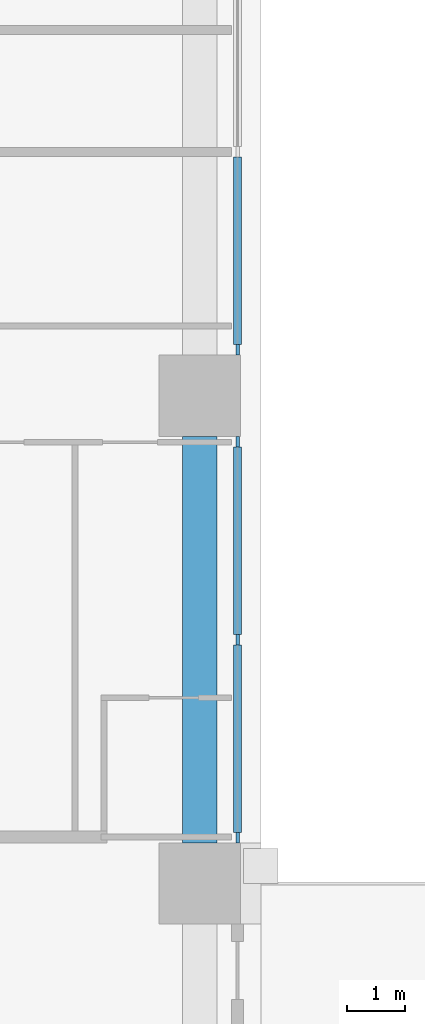
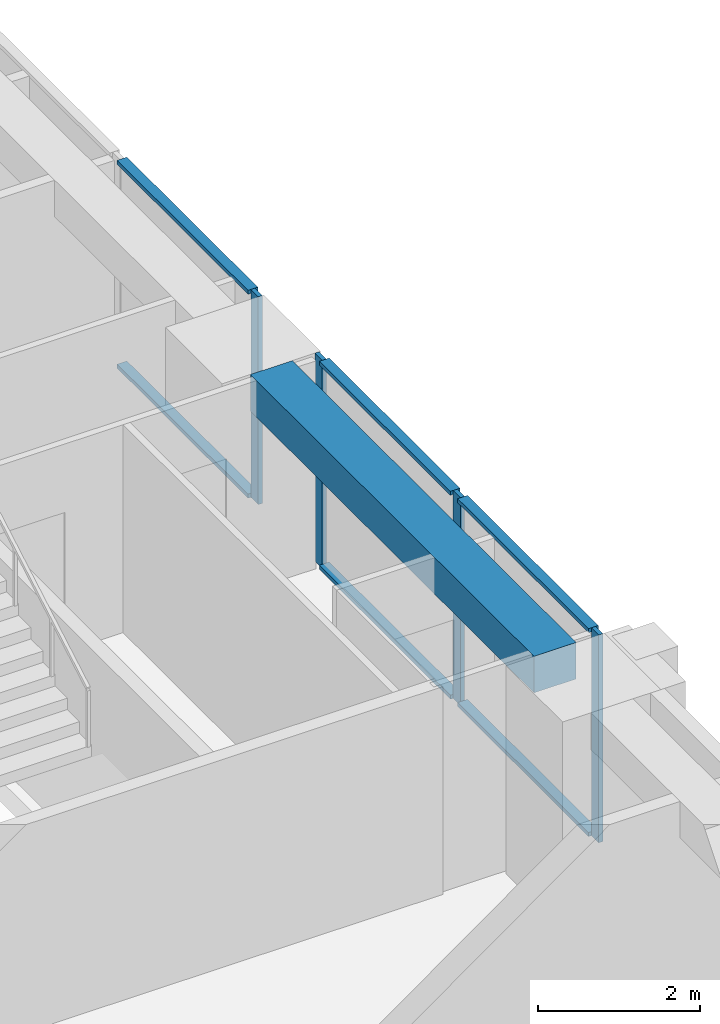
# One storey, part 4 of 17: 10 members, 1 beam, 2 elements without a shape of their own.
"""IFC4 building model written with IfcOpenShell, lengths in metres."""

from ifc_helpers import new_model, si_unit, direction, frame, origin, origin_2d, place, context, subcontext, project, spatial, rectangle, extrude, material, material_profile, profile_set, type_object, element, aggregate, save


model = new_model("IFC4")

# Units and contexts
model_context = context("Model", 3, precision=1e-05, world=origin(), true_north=direction((0.0, 1.0)))
body_context = subcontext(model_context, "Body", "Model", "MODEL_VIEW")
ifc_project = project(units=[si_unit("LENGTHUNIT", "METRE"), si_unit("AREAUNIT", "SQUARE_METRE"), si_unit("VOLUMEUNIT", "CUBIC_METRE"), si_unit("PLANEANGLEUNIT", "RADIAN"), si_unit("MASSUNIT", "GRAM", prefix="KILO")], contexts=[model_context])

# Site, building, storey
site_placement = place(None, origin())
site = spatial("IfcSite", under=ifc_project, at=site_placement, CompositionType="ELEMENT")
building_placement = place(site_placement, origin())
building = spatial("IfcBuilding", under=site, at=building_placement, Name="Vermilion Ogive Tower", CompositionType="ELEMENT")
storey_placement = place(building_placement, frame((0.0, 0.0, 65.550048828125)))
storey = spatial("IfcBuildingStorey", under=building, at=storey_placement, Name="L15", CompositionType="ELEMENT", Elevation=65.550048828125)

# Curtain wall, members
ifc_material_1 = material(Name="Low-iron laminated glazing in aluminium frame", Category="aluminium")
curtain_wall_type = type_object("IfcCurtainWallType", Name="Curtain wall CW7", PredefinedType="NOTDEFINED", material=ifc_material_1)
curtain_wall_1_placement = place(storey_placement, origin())
curtain_wall_1 = element("IfcCurtainWall", 1, at=curtain_wall_1_placement, inside=storey, type_object=curtain_wall_type, Name="Glazed skin E2", PredefinedType="NOTDEFINED")
ifc_material_2 = material(Name="Aluminium mullion", Category="aluminium")
ifc_material_profile_1 = material_profile(ifc_material_2, rectangle(XDim=0.06005859375, YDim=0.179931640625, at=origin_2d()), Name="AL 60x180")
ifc_profile_set_1 = profile_set([ifc_material_profile_1], Name="Aluminium mullion")
member_type_1 = type_object("IfcMemberType", Name="CW7 mullion 60x180", PredefinedType="MULLION", material=ifc_profile_set_1)
member_1_placement = place(storey_placement, frame((25.85009765625, -3.409912109375, 0.0), z_axis=(0.0, 0.0, 1.0), x_axis=(-1.0, 0.0, 0.0)))
member_1 = element("IfcMember", 2, at=member_1_placement, type_object=member_type_1, Name="CW7-E2 mullion 1", PredefinedType="MULLION", context=body_context, shape_type="SweptSolid", body=[
    extrude(rectangle(XDim=0.06005859375, YDim=0.179931640625, at=origin_2d()), origin(), (0.0, 0.0, 1.0), 3.1298828125),
])
member_2_placement = place(storey_placement, frame((25.85009765625, 0.0, 0.0), z_axis=(0.0, 0.0, 1.0), x_axis=(-1.0, 0.0, 0.0)))
member_2 = element("IfcMember", 3, at=member_2_placement, type_object=member_type_1, Name="CW7-E2 mullion 2", PredefinedType="MULLION", context=body_context, shape_type="SweptSolid", body=[
    extrude(rectangle(XDim=0.06005859375, YDim=0.179931640625, at=origin_2d()), origin(), (0.0, 0.0, 1.0), 3.1298828125),
])
member_3_placement = place(storey_placement, frame((25.85009765625, 3.409912109375, 0.0), z_axis=(0.0, 0.0, 1.0), x_axis=(-1.0, 0.0, 0.0)))
member_3 = element("IfcMember", 4, at=member_3_placement, type_object=member_type_1, Name="CW7-E2 mullion 3", PredefinedType="MULLION", context=body_context, shape_type="SweptSolid", body=[
    extrude(rectangle(XDim=0.06005859375, YDim=0.179931640625, at=origin_2d()), origin(), (0.0, 0.0, 1.0), 3.1298828125),
])

# Curtain wall, member
curtain_wall_2_placement = place(storey_placement, origin())
curtain_wall_2 = element("IfcCurtainWall", 5, at=curtain_wall_2_placement, inside=storey, type_object=curtain_wall_type, Name="Glazed skin E3", PredefinedType="NOTDEFINED")
member_4_placement = place(storey_placement, frame((25.85009765625, 4.989990234375, 0.0), z_axis=(0.0, 0.0, 1.0), x_axis=(-1.0, 0.0, 0.0)))
member_4 = element("IfcMember", 6, at=member_4_placement, type_object=member_type_1, Name="CW7-E3 mullion 1", PredefinedType="MULLION", context=body_context, shape_type="SweptSolid", body=[
    extrude(rectangle(XDim=0.06005859375, YDim=0.179931640625, at=origin_2d()), origin(), (0.0, 0.0, 1.0), 3.1298828125),
])

# Member
ifc_material_3 = material(Name="Aluminium transom", Category="aluminium")
ifc_material_profile_2 = material_profile(ifc_material_3, rectangle(XDim=0.139892578125, YDim=0.06005859375, at=origin_2d()), Name="AL 60x140")
ifc_profile_set_2 = profile_set([ifc_material_profile_2], Name="Aluminium transom")
member_type_2 = type_object("IfcMemberType", Name="CW7 transom 60x140", PredefinedType="USERDEFINED", material=ifc_profile_set_2)
member_5_placement = place(storey_placement, frame((25.85009765625, -3.320068359375, 0.030029296875), z_axis=(0.0, 1.0, 0.0), x_axis=(-1.0, 0.0, 0.0)))
member_5 = element("IfcMember", 7, at=member_5_placement, type_object=member_type_2, Name="CW7-E2 transom 1.1", ObjectType="TRANSOM", PredefinedType="USERDEFINED", context=body_context, shape_type="SweptSolid", body=[
    extrude(rectangle(XDim=0.139892578125, YDim=0.06005859375, at=origin_2d()), origin(), (0.0, 0.0, 1.0), 3.22998046875),
])

member_6_placement = place(storey_placement, frame((25.85009765625, -3.320068359375, 3.099853515625), z_axis=(0.0, 1.0, 0.0), x_axis=(-1.0, 0.0, 0.0)))
member_6 = element("IfcMember", 8, at=member_6_placement, type_object=member_type_2, Name="CW7-E2 transom 1.2", ObjectType="TRANSOM", PredefinedType="USERDEFINED", context=body_context, shape_type="SweptSolid", body=[
    extrude(rectangle(XDim=0.139892578125, YDim=0.06005859375, at=origin_2d()), origin(), (0.0, 0.0, 1.0), 3.22998046875),
])

member_7_placement = place(storey_placement, frame((25.85009765625, 0.090087890625, 0.030029296875), z_axis=(0.0, 1.0, 0.0), x_axis=(-1.0, 0.0, 0.0)))
member_7 = element("IfcMember", 9, at=member_7_placement, type_object=member_type_2, Name="CW7-E2 transom 2.1", ObjectType="TRANSOM", PredefinedType="USERDEFINED", context=body_context, shape_type="SweptSolid", body=[
    extrude(rectangle(XDim=0.139892578125, YDim=0.06005859375, at=origin_2d()), origin(), (0.0, 0.0, 1.0), 3.22998046875),
])

member_8_placement = place(storey_placement, frame((25.85009765625, 0.090087890625, 3.099853515625), z_axis=(0.0, 1.0, 0.0), x_axis=(-1.0, 0.0, 0.0)))
member_8 = element("IfcMember", 10, at=member_8_placement, type_object=member_type_2, Name="CW7-E2 transom 2.2", ObjectType="TRANSOM", PredefinedType="USERDEFINED", context=body_context, shape_type="SweptSolid", body=[
    extrude(rectangle(XDim=0.139892578125, YDim=0.06005859375, at=origin_2d()), origin(), (0.0, 0.0, 1.0), 3.22998046875),
])

aggregate(curtain_wall_1, [member_1, member_2, member_3, member_5, member_6, member_7, member_8])

member_9_placement = place(storey_placement, frame((25.85009765625, 5.080078125, 0.030029296875), z_axis=(0.0, 1.0, 0.0), x_axis=(-1.0, 0.0, 0.0)))
member_9 = element("IfcMember", 11, at=member_9_placement, type_object=member_type_2, Name="CW7-E3 transom 1.1", ObjectType="TRANSOM", PredefinedType="USERDEFINED", context=body_context, shape_type="SweptSolid", body=[
    extrude(rectangle(XDim=0.139892578125, YDim=0.06005859375, at=origin_2d()), origin(), (0.0, 0.0, 1.0), 3.22998046875),
])

member_10_placement = place(storey_placement, frame((25.85009765625, 5.080078125, 3.099853515625), z_axis=(0.0, 1.0, 0.0), x_axis=(-1.0, 0.0, 0.0)))
member_10 = element("IfcMember", 12, at=member_10_placement, type_object=member_type_2, Name="CW7-E3 transom 1.2", ObjectType="TRANSOM", PredefinedType="USERDEFINED", context=body_context, shape_type="SweptSolid", body=[
    extrude(rectangle(XDim=0.139892578125, YDim=0.06005859375, at=origin_2d()), origin(), (0.0, 0.0, 1.0), 3.22998046875),
])

aggregate(curtain_wall_2, [member_4, member_9, member_10])

# Beam
ifc_material_4 = material(Name="Concrete B45", Category="concrete")
ifc_material_profile_3 = material_profile(ifc_material_4, rectangle(XDim=0.60009765625, YDim=0.550048828125, at=origin_2d()), Name="600 x 550")
ifc_profile_set_3 = profile_set([ifc_material_profile_3], Name="Concrete B45")
beam_type = type_object("IfcBeamType", Name="Edge beam 600 x 550 B45", PredefinedType="BEAM", material=ifc_profile_set_3)
beam_placement = place(storey_placement, frame((25.199951171875, -3.5, 2.85498046875), z_axis=(0.0, 1.0, 0.0), x_axis=(-1.0, 0.0, 0.0)))
element("IfcBeam", 13, at=beam_placement, inside=storey, type_object=beam_type, Name="L15-EB-8", PredefinedType="BEAM", context=body_context, shape_type="SweptSolid", body=[
    extrude(rectangle(XDim=0.60009765625, YDim=0.550048828125, at=origin_2d()), origin(), (0.0, 0.0, 1.0), 7.0),
])

save(model, "model.ifc")
